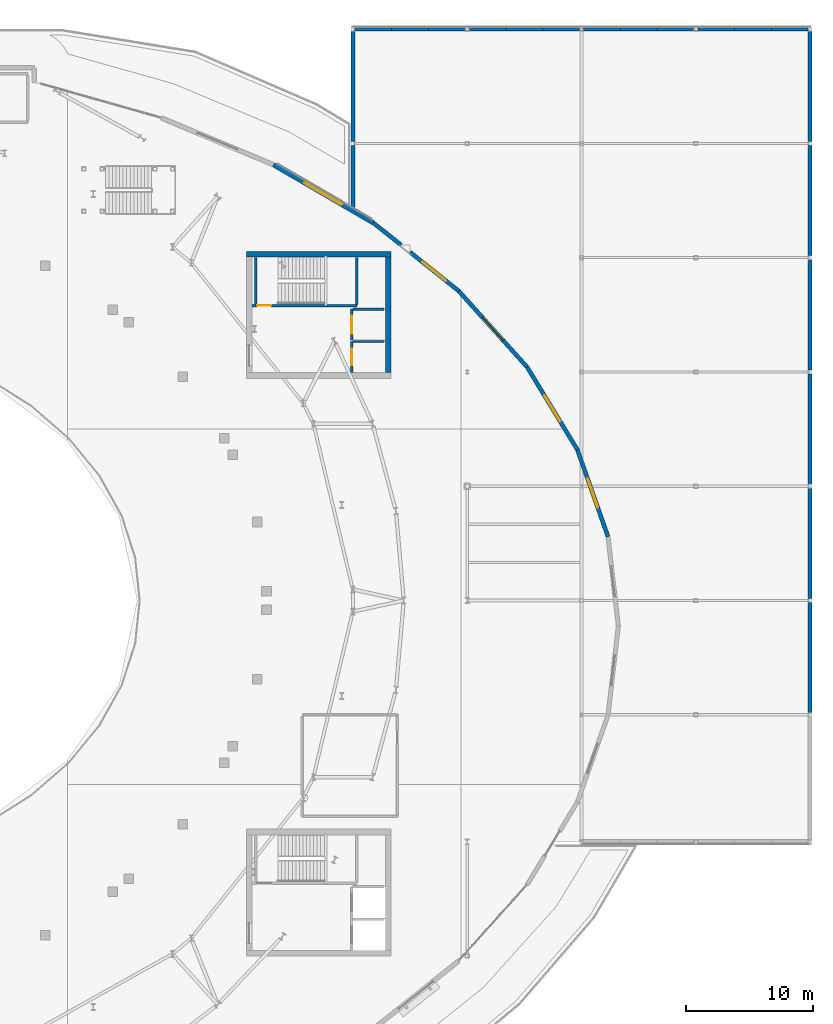
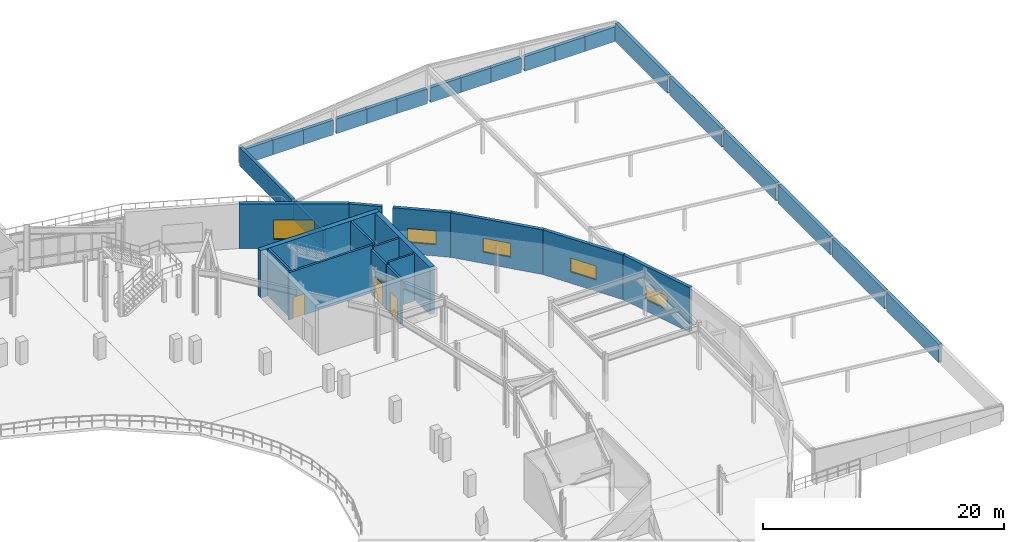
# One storey, part 64 of 84: 35 walls, 5 windows, 3 doors, 8 openings.
"""IFC4 building model written with IfcOpenShell, lengths in metres."""

from ifc_helpers import new_model, si_unit, direction, frame, frame_2d, origin, place, context, subcontext, project, spatial, rectangle, extrude, material, layer, layer_set, type_object, element, fill, save


model = new_model("IFC4")

# Units and contexts
model_context = context("Model", 3, precision=1e-05, world=origin(), true_north=direction((0.0, 1.0)))
body_context = subcontext(model_context, "Body", "Model", "MODEL_VIEW")
ifc_project = project(units=[si_unit("LENGTHUNIT", "METRE"), si_unit("AREAUNIT", "SQUARE_METRE"), si_unit("VOLUMEUNIT", "CUBIC_METRE"), si_unit("PLANEANGLEUNIT", "RADIAN"), si_unit("MASSUNIT", "GRAM", prefix="KILO")], contexts=[model_context])

# Site, building, storey
site_placement = place(None, origin())
site = spatial("IfcSite", under=ifc_project, at=site_placement, CompositionType="ELEMENT")
building_placement = place(site_placement, origin())
building = spatial("IfcBuilding", under=site, at=building_placement, Name="Glasvene Arena", CompositionType="ELEMENT")
storey_placement = place(building_placement, frame((0.0, 0.0, 10.199951171875)))
storey = spatial("IfcBuildingStorey", under=building, at=storey_placement, Name="L02", CompositionType="ELEMENT", Elevation=10.199951171875)

# Walls
ifc_material_1 = material(Name="Concrete C40/50", Category="concrete")
ifc_layer_1 = layer(ifc_material_1, 0.449951171875)
ifc_layer_set_1 = layer_set([ifc_layer_1], Name="Concrete C40/50")
wall_type_1 = type_object("IfcWallType", Name="WL-CORE-450", PredefinedType="SHEAR", material=ifc_layer_set_1)
wall_1_placement = place(storey_placement, frame((129.60009765625, 100.27490234375, 0.0), z_axis=(0.0, 0.0, 1.0), x_axis=(1.0, 0.0, 0.0)))
element("IfcWall", 1, at=wall_1_placement, inside=storey, type_object=wall_type_1, Name="Core C2 North-East shear wall N L02", PredefinedType="SHEAR", context=body_context, shape_type="SweptSolid", body=[
    extrude(rectangle(XDim=11.39990234375, YDim=0.449951171875, at=frame_2d((5.699951171875, 0.0))), origin(), (0.0, 0.0, 1.0), 4.800048828125),
])
wall_2_placement = place(storey_placement, frame((140.77490234375, 90.949951171875, 0.0), z_axis=(0.0, 0.0, 1.0), x_axis=(0.0, 1.0, 0.0)))
element("IfcWall", 2, at=wall_2_placement, inside=storey, type_object=wall_type_1, Name="Core C2 North-East shear wall E L02", PredefinedType="SHEAR", context=body_context, shape_type="SweptSolid", body=[
    extrude(rectangle(XDim=9.10009765625, YDim=0.449951171875, at=frame_2d((4.550048828125, 0.0))), origin(), (0.0, 0.0, 1.0), 4.800048828125),
])

# Wall, opening, window
ifc_material_2 = material(Name="Coursed pale Irish limestone", Category="masonry")
ifc_layer_2 = layer(ifc_material_2, 0.360107421875)
ifc_layer_set_2 = layer_set([ifc_layer_2], Name="Coursed pale Irish limestone")
wall_type_2 = type_object("IfcWallType", Name="WL-EXT-LIM-360", PredefinedType="STANDARD", material=ifc_layer_set_2)
wall_3_placement = place(storey_placement, frame((131.735107421875, 107.324951171875, 0.0), z_axis=(0.0, 0.0, 1.0), x_axis=(0.864304009095, -0.502969760385, 0.0)))
wall_3 = element("IfcWall", 3, at=wall_3_placement, inside=storey, type_object=wall_type_2, Name="External facade wall EW-L02-0140", PredefinedType="STANDARD", context=body_context, shape_type="SweptSolid", body=[
    extrude(rectangle(XDim=9.097900390625, YDim=0.360107421875, at=frame_2d((4.548828125, 0.0))), origin(), (0.0, 0.0, 1.0), 4.52001953125),
])
opening_1_placement = place(wall_3_placement, frame((2.84912109375, 0.0, 0.89990234375)))
opening_1 = element("IfcOpeningElement", 4, at=opening_1_placement, cuts=wall_3, Name="Opening W-06", PredefinedType="OPENING", context=body_context, shape_type="SweptSolid", body=[
    extrude(rectangle(XDim=3.39990234375, YDim=2.0, at=frame_2d((1.699951171875, 1.0))), frame((0.0, 0.18994140625, 0.0), z_axis=(0.0, -1.0, 0.0), x_axis=(1.0, 0.0, 0.0)), (0.0, 0.0, 1.0), 0.380126953125),
])
ifc_material_3 = material(Name="Low-emissivity laminated double glazing", Category="glass")
window_type_1 = type_object("IfcWindowType", Name="WN-CLUB-340x200", PartitioningType="TRIPLE_PANEL_VERTICAL", PredefinedType="WINDOW", material=ifc_material_3)
window_1_placement = place(opening_1_placement, origin())
window_1 = element("IfcWindow", 5, at=window_1_placement, inside=storey, type_object=window_type_1, Name="Facade window WN-CLUB-340x200 L02-0081", OverallHeight=2.0, OverallWidth=3.39990234375, PartitioningType="SINGLE_PANEL", PredefinedType="WINDOW", context=body_context, shape_type="SweptSolid", body=[
    extrude(rectangle(XDim=3.39990234375, YDim=2.0, at=frame_2d((1.699951171875, 1.0))), frame((0.0, 0.030029296875, 0.0), z_axis=(0.0, -1.0, 0.0), x_axis=(1.0, 0.0, 0.0)), (0.0, 0.0, 1.0), 0.06005859375),
])
fill(opening_1, window_1)

# Wall
ifc_material_4 = material(Name="Precast concrete C50/60", Category="concrete")
ifc_layer_3 = layer(ifc_material_4, 0.320068359375)
ifc_layer_set_3 = layer_set([ifc_layer_3], Name="Precast concrete C50/60")
wall_type_3 = type_object("IfcWallType", Name="WL-EXT-PRC-320", PredefinedType="STANDARD", material=ifc_layer_set_3)
wall_4_placement = place(storey_placement, frame((139.598388671875, 102.7490234375, 0.0), z_axis=(0.0, 0.0, 1.0), x_axis=(0.781751217415, -0.623590437764, 0.0)))
element("IfcWall", 6, at=wall_4_placement, inside=storey, type_object=wall_type_3, Name="External facade wall EW-L02-0141", PredefinedType="STANDARD", context=body_context, shape_type="SweptSolid", body=[
    extrude(rectangle(XDim=2.8046875, YDim=0.320068359375, at=frame_2d((1.40234375, 0.0))), origin(), (0.0, 0.0, 1.0), 4.52001953125),
])

# Wall, opening, window
wall_5_placement = place(storey_placement, frame((142.5, 100.434326171875, 0.0), z_axis=(0.0, 0.0, 1.0), x_axis=(0.781732120541, -0.623614377412, 0.0)))
wall_5 = element("IfcWall", 7, at=wall_5_placement, inside=storey, type_object=wall_type_3, Name="External facade wall EW-L02-0142", PredefinedType="STANDARD", context=body_context, shape_type="SweptSolid", body=[
    extrude(rectangle(XDim=4.879150390625, YDim=0.320068359375, at=frame_2d((2.439453125, 0.0))), origin(), (0.0, 0.0, 1.0), 4.52001953125),
])
opening_2_placement = place(wall_5_placement, frame((1.239990234375, 0.0, 1.14990234375)))
opening_2 = element("IfcOpeningElement", 8, at=opening_2_placement, cuts=wall_5, Name="Opening W-18", PredefinedType="OPENING", context=body_context, shape_type="SweptSolid", body=[
    extrude(rectangle(XDim=2.39990234375, YDim=1.39990234375, at=frame_2d((1.199951171875, 0.699951171875))), frame((0.0, 0.169921875, 0.0), z_axis=(0.0, -1.0, 0.0), x_axis=(1.0, 0.0, 0.0)), (0.0, 0.0, 1.0), 0.340087890625),
])
window_type_2 = type_object("IfcWindowType", Name="WN-LOUV-240x140", PartitioningType="DOUBLE_PANEL_HORIZONTAL", PredefinedType="WINDOW", material=ifc_material_3)
window_2_placement = place(opening_2_placement, origin())
window_2 = element("IfcWindow", 9, at=window_2_placement, inside=storey, type_object=window_type_2, Name="Facade window WN-LOUV-240x140 L02-0082", OverallHeight=1.39990234375, OverallWidth=2.39990234375, PartitioningType="SINGLE_PANEL", PredefinedType="WINDOW", context=body_context, shape_type="SweptSolid", body=[
    extrude(rectangle(XDim=2.39990234375, YDim=1.39990234375, at=frame_2d((1.199951171875, 0.699951171875))), frame((0.0, 0.030029296875, 0.0), z_axis=(0.0, -1.0, 0.0), x_axis=(1.0, 0.0, 0.0)), (0.0, 0.0, 1.0), 0.06005859375),
])
fill(opening_2, window_2)

wall_6_placement = place(storey_placement, frame((146.314208984375, 97.3916015625, 0.0), z_axis=(0.0, 0.0, 1.0), x_axis=(0.668724299115, -0.74351046514, 0.0)))
wall_6 = element("IfcWall", 10, at=wall_6_placement, inside=storey, type_object=wall_type_3, Name="External facade wall EW-L02-0143", PredefinedType="STANDARD", context=body_context, shape_type="SweptSolid", body=[
    extrude(rectangle(XDim=8.07958984375, YDim=0.320068359375, at=frame_2d((4.039794921875, 0.0))), origin(), (0.0, 0.0, 1.0), 4.52001953125),
])
opening_3_placement = place(wall_6_placement, frame((2.840087890625, 0.0, 1.14990234375)))
opening_3 = element("IfcOpeningElement", 11, at=opening_3_placement, cuts=wall_6, Name="Opening W-18", PredefinedType="OPENING", context=body_context, shape_type="SweptSolid", body=[
    extrude(rectangle(XDim=2.39990234375, YDim=1.39990234375, at=frame_2d((1.199951171875, 0.699951171875))), frame((0.0, 0.169921875, 0.0), z_axis=(0.0, -1.0, 0.0), x_axis=(1.0, 0.0, 0.0)), (0.0, 0.0, 1.0), 0.340087890625),
])
window_3_placement = place(opening_3_placement, origin())
window_3 = element("IfcWindow", 12, at=window_3_placement, inside=storey, type_object=window_type_2, Name="Facade window WN-LOUV-240x140 L02-0083", OverallHeight=1.39990234375, OverallWidth=2.39990234375, PartitioningType="SINGLE_PANEL", PredefinedType="WINDOW", context=body_context, shape_type="SweptSolid", body=[
    extrude(rectangle(XDim=2.39990234375, YDim=1.39990234375, at=frame_2d((1.199951171875, 0.699951171875))), frame((0.0, 0.030029296875, 0.0), z_axis=(0.0, -1.0, 0.0), x_axis=(1.0, 0.0, 0.0)), (0.0, 0.0, 1.0), 0.06005859375),
])
fill(opening_3, window_3)

wall_7_placement = place(storey_placement, frame((151.71728515625, 91.38427734375, 0.0), z_axis=(0.0, 0.0, 1.0), x_axis=(0.519478161204, -0.85448372719, 0.0)))
wall_7 = element("IfcWall", 13, at=wall_7_placement, inside=storey, type_object=wall_type_3, Name="External facade wall EW-L02-0144", PredefinedType="STANDARD", context=body_context, shape_type="SweptSolid", body=[
    extrude(rectangle(XDim=7.61767578125, YDim=0.320068359375, at=frame_2d((3.808837890625, 0.0))), origin(), (0.0, 0.0, 1.0), 4.52001953125),
])
opening_4_placement = place(wall_7_placement, frame((2.60888671875, 0.0, 1.14990234375)))
opening_4 = element("IfcOpeningElement", 14, at=opening_4_placement, cuts=wall_7, Name="Opening W-18", PredefinedType="OPENING", context=body_context, shape_type="SweptSolid", body=[
    extrude(rectangle(XDim=2.39990234375, YDim=1.39990234375, at=frame_2d((1.199951171875, 0.699951171875))), frame((0.0, 0.169921875, 0.0), z_axis=(0.0, -1.0, 0.0), x_axis=(1.0, 0.0, 0.0)), (0.0, 0.0, 1.0), 0.340087890625),
])
window_4_placement = place(opening_4_placement, origin())
window_4 = element("IfcWindow", 15, at=window_4_placement, inside=storey, type_object=window_type_2, Name="Facade window WN-LOUV-240x140 L02-0084", OverallHeight=1.39990234375, OverallWidth=2.39990234375, PartitioningType="SINGLE_PANEL", PredefinedType="WINDOW", context=body_context, shape_type="SweptSolid", body=[
    extrude(rectangle(XDim=2.39990234375, YDim=1.39990234375, at=frame_2d((1.199951171875, 0.699951171875))), frame((0.0, 0.030029296875, 0.0), z_axis=(0.0, -1.0, 0.0), x_axis=(1.0, 0.0, 0.0)), (0.0, 0.0, 1.0), 0.06005859375),
])
fill(opening_4, window_4)

wall_8_placement = place(storey_placement, frame((155.674560546875, 84.875, 0.0), z_axis=(0.0, 0.0, 1.0), x_axis=(0.332334849902, -0.943161464194, 0.0)))
wall_8 = element("IfcWall", 16, at=wall_8_placement, inside=storey, type_object=wall_type_3, Name="External facade wall EW-L02-0145", PredefinedType="STANDARD", context=body_context, shape_type="SweptSolid", body=[
    extrude(rectangle(XDim=7.263916015625, YDim=0.320068359375, at=frame_2d((3.6318359375, 0.0))), origin(), (0.0, 0.0, 1.0), 4.52001953125),
])
opening_5_placement = place(wall_8_placement, frame((2.431884765625, 0.0, 1.14990234375)))
opening_5 = element("IfcOpeningElement", 17, at=opening_5_placement, cuts=wall_8, Name="Opening W-18", PredefinedType="OPENING", context=body_context, shape_type="SweptSolid", body=[
    extrude(rectangle(XDim=2.39990234375, YDim=1.39990234375, at=frame_2d((1.199951171875, 0.699951171875))), frame((0.0, 0.169921875, 0.0), z_axis=(0.0, -1.0, 0.0), x_axis=(1.0, 0.0, 0.0)), (0.0, 0.0, 1.0), 0.340087890625),
])
window_5_placement = place(opening_5_placement, origin())
window_5 = element("IfcWindow", 18, at=window_5_placement, inside=storey, type_object=window_type_2, Name="Facade window WN-LOUV-240x140 L02-0085", OverallHeight=1.39990234375, OverallWidth=2.39990234375, PartitioningType="SINGLE_PANEL", PredefinedType="WINDOW", context=body_context, shape_type="SweptSolid", body=[
    extrude(rectangle(XDim=2.39990234375, YDim=1.39990234375, at=frame_2d((1.199951171875, 0.699951171875))), frame((0.0, 0.030029296875, 0.0), z_axis=(0.0, -1.0, 0.0), x_axis=(1.0, 0.0, 0.0)), (0.0, 0.0, 1.0), 0.06005859375),
])
fill(opening_5, window_5)

# Walls
wall_9_placement = place(storey_placement, frame((138.0, 104.003173828125, -0.280029296875), z_axis=(0.0, 0.0, 1.0), x_axis=(0.0, 1.0, 0.0)))
element("IfcWall", 19, at=wall_9_placement, inside=storey, type_object=wall_type_3, Name="Wing eave spandrel wall EW-WNG-V5-001", PredefinedType="STANDARD", context=body_context, shape_type="SweptSolid", body=[
    extrude(rectangle(XDim=4.841796875, YDim=0.320068359375, at=frame_2d((2.4208984375, 0.0))), origin(), (0.0, 0.0, 1.0), 1.864990234375),
])
for number, where, z_axis, x_axis, name in (
    (20, (138.0, 109.155029296875, -0.280029296875), (0.0, 0.0, 1.0), (0.0, 1.0, 0.0), "Wing eave spandrel wall EW-WNG-V5-002"),
    (21, (174.0, 64.155029296875, -0.280029296875), (0.0, 0.0, 1.0), (0.0, 1.0, 0.0), "Wing eave spandrel wall EW-WNG-V5-004"),
    (22, (174.0, 73.155029296875, -0.280029296875), (0.0, 0.0, 1.0), (0.0, 1.0, 0.0), "Wing eave spandrel wall EW-WNG-V5-005"),
    (23, (174.0, 82.155029296875, -0.280029296875), (0.0, 0.0, 1.0), (0.0, 1.0, 0.0), "Wing eave spandrel wall EW-WNG-V5-006"),
    (24, (174.0, 91.155029296875, -0.280029296875), (0.0, 0.0, 1.0), (0.0, 1.0, 0.0), "Wing eave spandrel wall EW-WNG-V5-007"),
    (25, (174.0, 100.155029296875, -0.280029296875), (0.0, 0.0, 1.0), (0.0, 1.0, 0.0), "Wing eave spandrel wall EW-WNG-V5-008"),
    (26, (174.0, 109.155029296875, -0.280029296875), (0.0, 0.0, 1.0), (0.0, 1.0, 0.0), "Wing eave spandrel wall EW-WNG-V5-009"),
):
    element("IfcWall", number, at=place(storey_placement, frame(where, z_axis=z_axis, x_axis=x_axis)), inside=storey, type_object=wall_type_3, Name=name, PredefinedType="STANDARD", context=body_context, shape_type="SweptSolid", body=[
        extrude(rectangle(XDim=8.68994140625, YDim=0.320068359375, at=frame_2d((4.344970703125, 0.0))), origin(), (0.0, 0.0, 1.0), 1.864990234375),
    ])
wall_10_placement = place(storey_placement, frame((138.155029296875, 118.0, -0.280029296875), z_axis=(0.0, 0.0, 1.0), x_axis=(1.0, 0.0, 0.0)))
element("IfcWall", 27, at=wall_10_placement, inside=storey, type_object=wall_type_3, Name="Wing gable infill wall EW-WNG-V5-016", PredefinedType="STANDARD", context=body_context, shape_type="SweptSolid", body=[
    extrude(rectangle(XDim=2.896728515625, YDim=0.320068359375, at=frame_2d((1.4482421875, 0.0))), origin(), (0.0, 0.0, 1.0), 1.489990234375),
])
wall_11_placement = place(storey_placement, frame((141.0517578125, 118.0, -0.280029296875), z_axis=(0.0, 0.0, 1.0), x_axis=(1.0, 0.0, 0.0)))
element("IfcWall", 28, at=wall_11_placement, inside=storey, type_object=wall_type_3, Name="Wing gable infill wall EW-WNG-V5-017", PredefinedType="STANDARD", context=body_context, shape_type="SweptSolid", body=[
    extrude(rectangle(XDim=2.896484375, YDim=0.320068359375, at=frame_2d((1.4482421875, 0.0))), origin(), (0.0, 0.0, 1.0), 1.489990234375),
])
for number, where, z_axis, x_axis, name in (
    (29, (143.9482421875, 118.0, -0.280029296875), (0.0, 0.0, 1.0), (1.0, 0.0, 0.0), "Wing gable infill wall EW-WNG-V5-018"),
    (30, (147.155029296875, 118.0, -0.280029296875), (0.0, 0.0, 1.0), (1.0, 0.0, 0.0), "Wing gable infill wall EW-WNG-V5-019"),
):
    element("IfcWall", number, at=place(storey_placement, frame(where, z_axis=z_axis, x_axis=x_axis)), inside=storey, type_object=wall_type_3, Name=name, PredefinedType="STANDARD", context=body_context, shape_type="SweptSolid", body=[
        extrude(rectangle(XDim=2.896728515625, YDim=0.320068359375, at=frame_2d((1.4482421875, 0.0))), origin(), (0.0, 0.0, 1.0), 1.489990234375),
    ])
wall_12_placement = place(storey_placement, frame((150.0517578125, 118.0, -0.280029296875), z_axis=(0.0, 0.0, 1.0), x_axis=(1.0, 0.0, 0.0)))
element("IfcWall", 31, at=wall_12_placement, inside=storey, type_object=wall_type_3, Name="Wing gable infill wall EW-WNG-V5-020", PredefinedType="STANDARD", context=body_context, shape_type="SweptSolid", body=[
    extrude(rectangle(XDim=2.896484375, YDim=0.320068359375, at=frame_2d((1.4482421875, 0.0))), origin(), (0.0, 0.0, 1.0), 1.489990234375),
])
for number, where, z_axis, x_axis, name in (
    (32, (152.9482421875, 118.0, -0.280029296875), (0.0, 0.0, 1.0), (1.0, 0.0, 0.0), "Wing gable infill wall EW-WNG-V5-021"),
    (33, (156.155029296875, 118.0, -0.280029296875), (0.0, 0.0, 1.0), (1.0, 0.0, 0.0), "Wing gable infill wall EW-WNG-V5-022"),
):
    element("IfcWall", number, at=place(storey_placement, frame(where, z_axis=z_axis, x_axis=x_axis)), inside=storey, type_object=wall_type_3, Name=name, PredefinedType="STANDARD", context=body_context, shape_type="SweptSolid", body=[
        extrude(rectangle(XDim=2.896728515625, YDim=0.320068359375, at=frame_2d((1.4482421875, 0.0))), origin(), (0.0, 0.0, 1.0), 1.489990234375),
    ])
wall_13_placement = place(storey_placement, frame((159.0517578125, 118.0, -0.280029296875), z_axis=(0.0, 0.0, 1.0), x_axis=(1.0, 0.0, 0.0)))
element("IfcWall", 34, at=wall_13_placement, inside=storey, type_object=wall_type_3, Name="Wing gable infill wall EW-WNG-V5-023", PredefinedType="STANDARD", context=body_context, shape_type="SweptSolid", body=[
    extrude(rectangle(XDim=2.896484375, YDim=0.320068359375, at=frame_2d((1.4482421875, 0.0))), origin(), (0.0, 0.0, 1.0), 1.489990234375),
])
for number, where, z_axis, x_axis, name in (
    (35, (161.9482421875, 118.0, -0.280029296875), (0.0, 0.0, 1.0), (1.0, 0.0, 0.0), "Wing gable infill wall EW-WNG-V5-024"),
    (36, (165.155029296875, 118.0, -0.280029296875), (0.0, 0.0, 1.0), (1.0, 0.0, 0.0), "Wing gable infill wall EW-WNG-V5-025"),
):
    element("IfcWall", number, at=place(storey_placement, frame(where, z_axis=z_axis, x_axis=x_axis)), inside=storey, type_object=wall_type_3, Name=name, PredefinedType="STANDARD", context=body_context, shape_type="SweptSolid", body=[
        extrude(rectangle(XDim=2.896728515625, YDim=0.320068359375, at=frame_2d((1.4482421875, 0.0))), origin(), (0.0, 0.0, 1.0), 1.489990234375),
    ])
wall_14_placement = place(storey_placement, frame((168.0517578125, 118.0, -0.280029296875), z_axis=(0.0, 0.0, 1.0), x_axis=(1.0, 0.0, 0.0)))
element("IfcWall", 37, at=wall_14_placement, inside=storey, type_object=wall_type_3, Name="Wing gable infill wall EW-WNG-V5-026", PredefinedType="STANDARD", context=body_context, shape_type="SweptSolid", body=[
    extrude(rectangle(XDim=2.896484375, YDim=0.320068359375, at=frame_2d((1.4482421875, 0.0))), origin(), (0.0, 0.0, 1.0), 1.489990234375),
])
wall_15_placement = place(storey_placement, frame((170.9482421875, 118.0, -0.280029296875), z_axis=(0.0, 0.0, 1.0), x_axis=(1.0, 0.0, 0.0)))
element("IfcWall", 38, at=wall_15_placement, inside=storey, type_object=wall_type_3, Name="Wing gable infill wall EW-WNG-V5-027", PredefinedType="STANDARD", context=body_context, shape_type="SweptSolid", body=[
    extrude(rectangle(XDim=2.896728515625, YDim=0.320068359375, at=frame_2d((1.4482421875, 0.0))), origin(), (0.0, 0.0, 1.0), 1.489990234375),
])

# Wall, opening, door
ifc_layer_4 = layer(ifc_material_1, 0.199951171875)
ifc_layer_set_4 = layer_set([ifc_layer_4], Name="Concrete C40/50")
wall_type_4 = type_object("IfcWallType", Name="WL-SHAFT-200", PredefinedType="SHEAR", material=ifc_layer_set_4)
wall_16_placement = place(storey_placement, frame((137.89990234375, 90.949951171875, 0.0), z_axis=(0.0, 0.0, 1.0), x_axis=(0.0, 1.0, 0.0)))
wall_16 = element("IfcWall", 39, at=wall_16_placement, inside=storey, type_object=wall_type_4, Name="Lift shaft front wall FFL-02 L02", PredefinedType="SHEAR", context=body_context, shape_type="SweptSolid", body=[
    extrude(rectangle(XDim=2.449951171875, YDim=0.199951171875, at=frame_2d((1.22509765625, 0.0))), origin(), (0.0, 0.0, 1.0), 4.52001953125),
])
opening_6_placement = place(wall_16_placement, frame((0.574951171875, 0.0, 0.0)))
opening_6 = element("IfcOpeningElement", 40, at=opening_6_placement, cuts=wall_16, Name="Opening LD-FF", PredefinedType="OPENING", context=body_context, shape_type="SweptSolid", body=[
    extrude(rectangle(XDim=1.300048828125, YDim=2.199951171875, at=frame_2d((0.64990234375, 1.10009765625))), frame((0.0, 0.10986328125, 0.0), z_axis=(0.0, -1.0, 0.0), x_axis=(1.0, 0.0, 0.0)), (0.0, 0.0, 1.0), 0.219970703125),
])
ifc_material_5 = material(Name="Brushed stainless steel", Category="steel")
door_type_1 = type_object("IfcDoorType", Name="LD-FFL-1300", OperationType="DOUBLE_DOOR_SLIDING", PredefinedType="DOOR", material=ifc_material_5)
door_1_placement = place(opening_6_placement, origin())
door_1 = element("IfcDoor", 41, at=door_1_placement, inside=storey, type_object=door_type_1, Name="Lift sliding landing door LD-FFL-02-L02", OperationType="DOUBLE_DOOR_SLIDING", OverallHeight=2.199951171875, OverallWidth=1.300048828125, PredefinedType="DOOR", context=body_context, shape_type="SweptSolid", body=[
    extrude(rectangle(XDim=1.300048828125, YDim=2.199951171875, at=frame_2d((0.64990234375, 1.10009765625))), frame((0.0, 0.02490234375, 0.0), z_axis=(0.0, -1.0, 0.0), x_axis=(1.0, 0.0, 0.0)), (0.0, 0.0, 1.0), 0.050048828125),
])
fill(opening_6, door_1)

wall_17_placement = place(storey_placement, frame((137.89990234375, 93.5, 0.0), z_axis=(0.0, 0.0, 1.0), x_axis=(0.0, 1.0, 0.0)))
wall_17 = element("IfcWall", 42, at=wall_17_placement, inside=storey, type_object=wall_type_4, Name="Lift shaft front wall PL-02 L02", PredefinedType="SHEAR", context=body_context, shape_type="SweptSolid", body=[
    extrude(rectangle(XDim=2.449951171875, YDim=0.199951171875, at=frame_2d((1.22509765625, 0.0))), origin(), (0.0, 0.0, 1.0), 4.52001953125),
])
opening_7_placement = place(wall_17_placement, frame((0.52490234375, 0.0, 0.0)))
opening_7 = element("IfcOpeningElement", 43, at=opening_7_placement, cuts=wall_17, Name="Opening LD-PL", PredefinedType="OPENING", context=body_context, shape_type="SweptSolid", body=[
    extrude(rectangle(XDim=1.39990234375, YDim=2.199951171875, at=frame_2d((0.699951171875, 1.10009765625))), frame((0.0, 0.10986328125, 0.0), z_axis=(0.0, -1.0, 0.0), x_axis=(1.0, 0.0, 0.0)), (0.0, 0.0, 1.0), 0.219970703125),
])
door_type_2 = type_object("IfcDoorType", Name="LD-PL-1400", OperationType="DOUBLE_DOOR_SLIDING", PredefinedType="DOOR", material=ifc_material_5)
door_2_placement = place(opening_7_placement, origin())
door_2 = element("IfcDoor", 44, at=door_2_placement, inside=storey, type_object=door_type_2, Name="Lift sliding landing door LD-PL-02-L02", OperationType="DOUBLE_DOOR_SLIDING", OverallHeight=2.199951171875, OverallWidth=1.39990234375, PredefinedType="DOOR", context=body_context, shape_type="SweptSolid", body=[
    extrude(rectangle(XDim=1.39990234375, YDim=2.199951171875, at=frame_2d((0.699951171875, 1.10009765625))), frame((0.0, 0.02490234375, 0.0), z_axis=(0.0, -1.0, 0.0), x_axis=(1.0, 0.0, 0.0)), (0.0, 0.0, 1.0), 0.050048828125),
])
fill(opening_7, door_2)

wall_18_placement = place(storey_placement, frame((130.052001953125, 96.22998046875, 0.0), z_axis=(0.0, 0.0, 1.0), x_axis=(1.0, 0.0, 0.0)))
wall_18 = element("IfcWall", 45, at=wall_18_placement, inside=storey, type_object=wall_type_4, Name="Escape stair shaft wall ST-02 L02 S", PredefinedType="SHEAR", context=body_context, shape_type="SweptSolid", body=[
    extrude(rectangle(XDim=8.248046875, YDim=0.199951171875, at=frame_2d((4.1240234375, 0.0))), origin(), (0.0, 0.0, 1.0), 4.800048828125),
])
opening_8_placement = place(wall_18_placement, frame((0.39990234375, 0.0, 0.0)))
opening_8 = element("IfcOpeningElement", 46, at=opening_8_placement, cuts=wall_18, Name="Opening D-04", PredefinedType="OPENING", context=body_context, shape_type="SweptSolid", body=[
    extrude(rectangle(XDim=1.10009765625, YDim=2.14990234375, at=frame_2d((0.550048828125, 1.074951171875))), frame((0.0, 0.10986328125, 0.0), z_axis=(0.0, -1.0, 0.0), x_axis=(1.0, 0.0, 0.0)), (0.0, 0.0, 1.0), 0.219970703125),
])
ifc_material_6 = material(Name="Painted fire-resisting steel", Category="steel")
door_type_3 = type_object("IfcDoorType", Name="DR-FD60-1100", OperationType="NOTDEFINED", PredefinedType="DOOR", material=ifc_material_6)
door_3_placement = place(opening_8_placement, frame((1.10009765625, 0.0, 0.0), z_axis=(0.0, 0.0, 1.0), x_axis=(-1.0, 0.0, 0.0)))
door_3 = element("IfcDoor", 47, at=door_3_placement, inside=storey, type_object=door_type_3, Name="Protected escape stair door ST-02 L02", OperationType="SINGLE_SWING_RIGHT", OverallHeight=2.14990234375, OverallWidth=1.10009765625, PredefinedType="DOOR", context=body_context, shape_type="SweptSolid", body=[
    extrude(rectangle(XDim=1.10009765625, YDim=2.14990234375, at=frame_2d((0.550048828125, 1.074951171875))), frame((0.0, 0.02490234375, 0.0), z_axis=(0.0, -1.0, 0.0), x_axis=(1.0, 0.0, 0.0)), (0.0, 0.0, 1.0), 0.050048828125),
])
fill(opening_8, door_3)

# Walls
for number, where, z_axis, x_axis, name in (
    (48, (130.35009765625, 96.33203125, 0.0), (0.0, 0.0, 1.0), (0.0, 1.0, 0.0), "Escape stair shaft wall ST-02 L02 W"),
    (49, (138.300048828125, 96.33203125, 0.0), (0.0, 0.0, 1.0), (0.0, 1.0, 0.0), "Escape stair shaft wall ST-02 L02 E"),
):
    element("IfcWall", number, at=place(storey_placement, frame(where, z_axis=z_axis, x_axis=x_axis)), inside=storey, type_object=wall_type_4, Name=name, PredefinedType="SHEAR", context=body_context, shape_type="SweptSolid", body=[
        extrude(rectangle(XDim=3.68603515625, YDim=0.199951171875, at=frame_2d((1.843017578125, 0.0))), origin(), (0.0, 0.0, 1.0), 4.800048828125),
    ])
ifc_material_7 = material(Name="Moisture-resistant masonry blockwork", Category="masonry")
ifc_layer_5 = layer(ifc_material_7, 0.179931640625)
ifc_layer_set_5 = layer_set([ifc_layer_5], Name="Moisture-resistant masonry blockwork")
wall_type_5 = type_object("IfcWallType", Name="WL-WET-180", PredefinedType="PARTITIONING", material=ifc_layer_set_5)
for number, where, z_axis, x_axis, name in (
    (50, (138.0, 93.39990234375, 0.0), (0.0, 0.0, 1.0), (1.0, 0.0, 0.0), "Lift shaft divider wall C2 L02"),
    (51, (138.0, 95.949951171875, 0.0), (0.0, 0.0, 1.0), (1.0, 0.0, 0.0), "Lift shaft north enclosure wall C2 L02"),
):
    element("IfcWall", number, at=place(storey_placement, frame(where, z_axis=z_axis, x_axis=x_axis)), inside=storey, type_object=wall_type_5, Name=name, PredefinedType="PARTITIONING", context=body_context, shape_type="SweptSolid", body=[
        extrude(rectangle(XDim=2.449951171875, YDim=0.179931640625, at=frame_2d((1.22509765625, 0.0))), origin(), (0.0, 0.0, 1.0), 4.800048828125),
    ])

save(model, "model.ifc")
